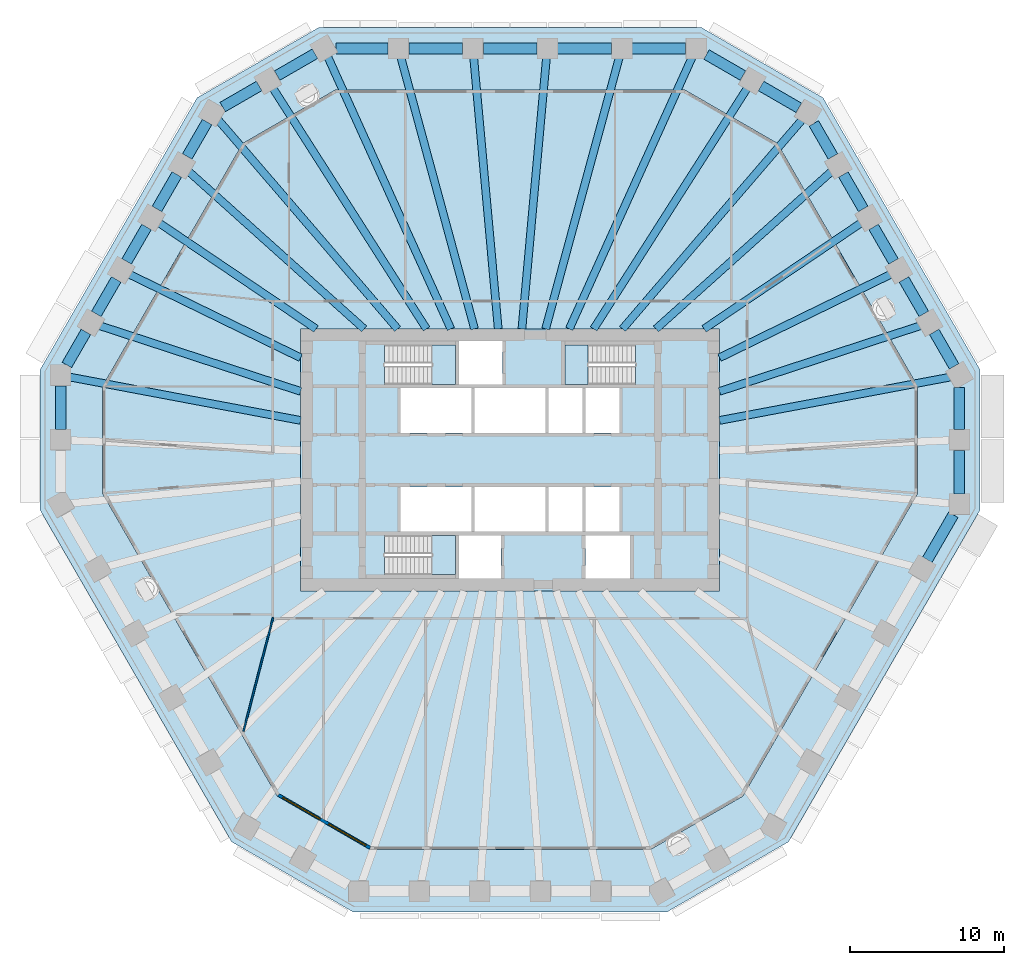
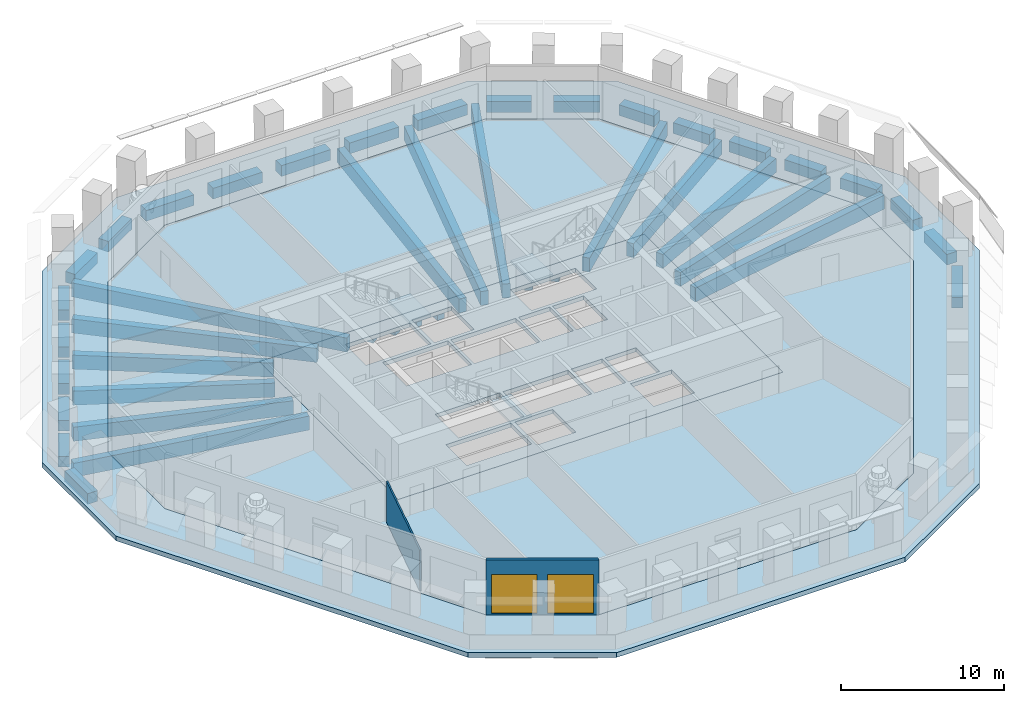
# One storey, part 2 of 12: 43 beams, 6 slabs, 2 walls, 2 windows, 2 openings, 3 elements without a shape of their own.
"""IFC4 building model written with IfcOpenShell, lengths in metres."""

from ifc_helpers import new_model, si_unit, direction, frame, frame_2d, origin, origin_2d, place, context, subcontext, project, spatial, polyline, rectangle, outline, extrude, material, layer, layer_set, material_profile, profile_set, type_object, element, fill, aggregate, save


model = new_model("IFC4")

# Units and contexts
model_context = context("Model", 3, precision=1e-05, world=origin(), true_north=direction((0.0, 1.0)))
body_context = subcontext(model_context, "Body", "Model", "MODEL_VIEW")
ifc_project = project(units=[si_unit("LENGTHUNIT", "METRE"), si_unit("AREAUNIT", "SQUARE_METRE"), si_unit("VOLUMEUNIT", "CUBIC_METRE"), si_unit("PLANEANGLEUNIT", "RADIAN"), si_unit("MASSUNIT", "GRAM", prefix="KILO")], contexts=[model_context])

# Site, building, storey
site_placement = place(None, origin())
site = spatial("IfcSite", under=ifc_project, at=site_placement, CompositionType="ELEMENT")
building_placement = place(site_placement, origin())
building = spatial("IfcBuilding", under=site, at=building_placement, Name="Frailejon Research Tower", CompositionType="ELEMENT")
storey_placement = place(building_placement, frame((0.0, 0.0, 122.0)))
storey = spatial("IfcBuildingStorey", under=building, at=storey_placement, Name="L26", CompositionType="ELEMENT", Elevation=122.0)

# Beams
ifc_material_1 = material(Name="Concrete C60/75", Category="concrete")
ifc_material_profile_1 = material_profile(ifc_material_1, rectangle(XDim=0.5, YDim=1.050048828125, at=origin_2d()), Name="Girder 500x1050")
ifc_profile_set_1 = profile_set([ifc_material_profile_1], Name="Concrete C60/75")
beam_type_1 = type_object("IfcBeamType", Name="Girder 500x1050", PredefinedType="BEAM", material=ifc_profile_set_1)
beam_1_placement = place(storey_placement, frame((28.6044921875, 5.377685546875, -0.824951171875), z_axis=(-0.982783367515, -0.184761610015, 0.0), x_axis=(0.184761610015, -0.982783367515, 0.0)))
element("IfcBeam", 1, at=beam_1_placement, inside=storey, type_object=beam_type_1, Name="Girder 500x1050", PredefinedType="BEAM", context=body_context, shape_type="SweptSolid", body=[
    extrude(rectangle(XDim=0.5, YDim=1.050048828125, at=origin_2d()), origin(), (0.0, 0.0, 1.0), 15.267333984375),
])
beam_2_placement = place(storey_placement, frame((26.680908203125, 8.720703125, -0.824951171875), z_axis=(-0.950512151365, -0.310687383244, 0.0), x_axis=(0.310687383244, -0.950512151365, 0.0)))
element("IfcBeam", 2, at=beam_2_placement, inside=storey, type_object=beam_type_1, Name="Girder 500x1050", PredefinedType="BEAM", context=body_context, shape_type="SweptSolid", body=[
    extrude(rectangle(XDim=0.5, YDim=1.050048828125, at=origin_2d()), origin(), (0.0, 0.0, 1.0), 13.761962890625),
])
beam_3_placement = place(storey_placement, frame((24.75390625, 12.063720703125, -0.824951171875), z_axis=(-0.898930068436, -0.438092150193, 0.0), x_axis=(0.438092150193, -0.898930068436, 0.0)))
element("IfcBeam", 3, at=beam_3_placement, inside=storey, type_object=beam_type_1, Name="Girder 500x1050", PredefinedType="BEAM", context=body_context, shape_type="SweptSolid", body=[
    extrude(rectangle(XDim=0.5, YDim=1.050048828125, at=origin_2d()), origin(), (0.0, 0.0, 1.0), 12.407958984375),
])
beam_4_placement = place(storey_placement, frame((22.824462890625, 15.40576171875, -0.824951171875), z_axis=(-0.828859909215, -0.55945620999, 0.0), x_axis=(0.55945620999, -0.828859909215, 0.0)))
element("IfcBeam", 4, at=beam_4_placement, inside=storey, type_object=beam_type_1, Name="Girder 500x1050", PredefinedType="BEAM", context=body_context, shape_type="SweptSolid", body=[
    extrude(rectangle(XDim=0.5, YDim=1.050048828125, at=origin_2d()), origin(), (0.0, 0.0, 1.0), 12.34375),
])
beam_5_placement = place(storey_placement, frame((20.892578125, 18.745849609375, -0.824951171875), z_axis=(-0.744311646728, -0.667832443466, 0.0), x_axis=(0.667832443466, -0.744311646728, 0.0)))
element("IfcBeam", 5, at=beam_5_placement, inside=storey, type_object=beam_type_1, Name="Girder 500x1050", PredefinedType="BEAM", context=body_context, shape_type="SweptSolid", body=[
    extrude(rectangle(XDim=0.5, YDim=1.050048828125, at=origin_2d()), origin(), (0.0, 0.0, 1.0), 15.342041015625),
])
beam_6_placement = place(storey_placement, frame((18.978271484375, 22.10498046875, -0.824951171875), z_axis=(-0.651410092437, -0.758725834193, 0.0), x_axis=(0.758725834193, -0.651410092437, 0.0)))
element("IfcBeam", 6, at=beam_6_placement, inside=storey, type_object=beam_type_1, Name="Girder 500x1050", PredefinedType="BEAM", context=body_context, shape_type="SweptSolid", body=[
    extrude(rectangle(XDim=0.5, YDim=1.050048828125, at=origin_2d()), origin(), (0.0, 0.0, 1.0), 17.931396484375),
])
beam_7_placement = place(storey_placement, frame((15.418701171875, 24.1630859375, -0.824951171875), z_axis=(-0.537926793279, -0.84299155694, 0.0), x_axis=(0.84299155694, -0.537926793279, 0.0)))
element("IfcBeam", 7, at=beam_7_placement, inside=storey, type_object=beam_type_1, Name="Girder 500x1050", PredefinedType="BEAM", context=body_context, shape_type="SweptSolid", body=[
    extrude(rectangle(XDim=0.5, YDim=1.050048828125, at=origin_2d()), origin(), (0.0, 0.0, 1.0), 18.580322265625),
])
beam_8_placement = place(storey_placement, frame((11.831298828125, 26.16162109375, -0.824951171875), z_axis=(-0.412061819149, -0.911155890723, 0.0), x_axis=(0.911155890723, -0.412061819149, 0.0)))
element("IfcBeam", 8, at=beam_8_placement, inside=storey, type_object=beam_type_1, Name="Girder 500x1050", PredefinedType="BEAM", context=body_context, shape_type="SweptSolid", body=[
    extrude(rectangle(XDim=0.5, YDim=1.050048828125, at=origin_2d()), origin(), (0.0, 0.0, 1.0), 19.3837890625),
])
beam_9_placement = place(storey_placement, frame((7.10107421875, 26.169921875, -0.824951171875), z_axis=(-0.261877178115, -0.965101208984, 0.0), x_axis=(0.965101208984, -0.261877178115, 0.0)))
element("IfcBeam", 9, at=beam_9_placement, inside=storey, type_object=beam_type_1, Name="Girder 500x1050", PredefinedType="BEAM", context=body_context, shape_type="SweptSolid", body=[
    extrude(rectangle(XDim=0.5, YDim=1.050048828125, at=origin_2d()), origin(), (0.0, 0.0, 1.0), 18.308837890625),
])
for number, where, z_axis, x_axis, name in (
    (10, (2.367431640625, 26.17431640625, -0.824951171875), (-0.090081751024, -0.99593437441, 0.0), (0.99593437441, -0.090081751024, 0.0), "Girder 500x1050"),
    (11, (-2.367431640625, 26.17431640625, -0.824951171875), (0.090081751024, -0.99593437441, 0.0), (0.99593437441, 0.090081751024, 0.0), "Girder 500x1050"),
):
    element("IfcBeam", number, at=place(storey_placement, frame(where, z_axis=z_axis, x_axis=x_axis)), inside=storey, type_object=beam_type_1, Name=name, PredefinedType="BEAM", context=body_context, shape_type="SweptSolid", body=[
        extrude(rectangle(XDim=0.5, YDim=1.050048828125, at=origin_2d()), origin(), (0.0, 0.0, 1.0), 17.74658203125),
    ])
beam_10_placement = place(storey_placement, frame((-7.10107421875, 26.169921875, -0.824951171875), z_axis=(0.261877178115, -0.965101208984, 0.0), x_axis=(0.965101208984, 0.261877178115, 0.0)))
element("IfcBeam", 12, at=beam_10_placement, inside=storey, type_object=beam_type_1, Name="Girder 500x1050", PredefinedType="BEAM", context=body_context, shape_type="SweptSolid", body=[
    extrude(rectangle(XDim=0.5, YDim=1.050048828125, at=origin_2d()), origin(), (0.0, 0.0, 1.0), 18.308837890625),
])
beam_11_placement = place(storey_placement, frame((-11.857177734375, 26.218505859375, -0.824951171875), z_axis=(0.412068363759, -0.911152930956, 0.0), x_axis=(0.911152930956, 0.412068363759, 0.0)))
element("IfcBeam", 13, at=beam_11_placement, inside=storey, type_object=beam_type_1, Name="Girder 500x1050", PredefinedType="BEAM", context=body_context, shape_type="SweptSolid", body=[
    extrude(rectangle(XDim=0.5, YDim=1.050048828125, at=origin_2d()), origin(), (0.0, 0.0, 1.0), 19.4462890625),
])
beam_12_placement = place(storey_placement, frame((-15.418701171875, 24.1630859375, -0.824951171875), z_axis=(0.537926793279, -0.84299155694, 0.0), x_axis=(0.84299155694, 0.537926793279, 0.0)))
element("IfcBeam", 14, at=beam_12_placement, inside=storey, type_object=beam_type_1, Name="Girder 500x1050", PredefinedType="BEAM", context=body_context, shape_type="SweptSolid", body=[
    extrude(rectangle(XDim=0.5, YDim=1.050048828125, at=origin_2d()), origin(), (0.0, 0.0, 1.0), 18.580322265625),
])
beam_13_placement = place(storey_placement, frame((-18.959716796875, 22.08349609375, -0.824951171875), z_axis=(0.651406584135, -0.758728846259, 0.0), x_axis=(0.758728846259, 0.651406584135, 0.0)))
element("IfcBeam", 15, at=beam_13_placement, inside=storey, type_object=beam_type_1, Name="Girder 500x1050", PredefinedType="BEAM", context=body_context, shape_type="SweptSolid", body=[
    extrude(rectangle(XDim=0.5, YDim=1.050048828125, at=origin_2d()), origin(), (0.0, 0.0, 1.0), 17.903076171875),
])
beam_14_placement = place(storey_placement, frame((-20.892578125, 18.745849609375, -0.824951171875), z_axis=(0.744311646728, -0.667832443466, 0.0), x_axis=(0.667832443466, 0.744311646728, 0.0)))
element("IfcBeam", 16, at=beam_14_placement, inside=storey, type_object=beam_type_1, Name="Girder 500x1050", PredefinedType="BEAM", context=body_context, shape_type="SweptSolid", body=[
    extrude(rectangle(XDim=0.5, YDim=1.050048828125, at=origin_2d()), origin(), (0.0, 0.0, 1.0), 15.342041015625),
])
beam_15_placement = place(storey_placement, frame((-22.824462890625, 15.40576171875, -0.824951171875), z_axis=(0.828859909215, -0.55945620999, 0.0), x_axis=(0.55945620999, 0.828859909215, 0.0)))
element("IfcBeam", 17, at=beam_15_placement, inside=storey, type_object=beam_type_1, Name="Girder 500x1050", PredefinedType="BEAM", context=body_context, shape_type="SweptSolid", body=[
    extrude(rectangle(XDim=0.5, YDim=1.050048828125, at=origin_2d()), origin(), (0.0, 0.0, 1.0), 12.34375),
])
beam_16_placement = place(storey_placement, frame((-24.75390625, 12.063720703125, -0.824951171875), z_axis=(0.898930068436, -0.438092150193, 0.0), x_axis=(0.438092150193, 0.898930068436, 0.0)))
element("IfcBeam", 18, at=beam_16_placement, inside=storey, type_object=beam_type_1, Name="Girder 500x1050", PredefinedType="BEAM", context=body_context, shape_type="SweptSolid", body=[
    extrude(rectangle(XDim=0.5, YDim=1.050048828125, at=origin_2d()), origin(), (0.0, 0.0, 1.0), 12.407958984375),
])
beam_17_placement = place(storey_placement, frame((-26.680908203125, 8.720703125, -0.824951171875), z_axis=(0.950512151365, -0.310687383244, 0.0), x_axis=(0.310687383244, 0.950512151365, 0.0)))
element("IfcBeam", 19, at=beam_17_placement, inside=storey, type_object=beam_type_1, Name="Girder 500x1050", PredefinedType="BEAM", context=body_context, shape_type="SweptSolid", body=[
    extrude(rectangle(XDim=0.5, YDim=1.050048828125, at=origin_2d()), origin(), (0.0, 0.0, 1.0), 13.761962890625),
])
beam_18_placement = place(storey_placement, frame((-28.6328125, 5.383056640625, -0.824951171875), z_axis=(0.982782810486, -0.18476457294, 0.0), x_axis=(0.18476457294, 0.982782810486, 0.0)))
element("IfcBeam", 20, at=beam_18_placement, inside=storey, type_object=beam_type_1, Name="Girder 500x1050", PredefinedType="BEAM", context=body_context, shape_type="SweptSolid", body=[
    extrude(rectangle(XDim=0.5, YDim=1.050048828125, at=origin_2d()), origin(), (0.0, 0.0, 1.0), 15.296142578125),
])
ifc_material_2 = material(Name="Concrete C60/75", Category="concrete")
ifc_material_profile_2 = material_profile(ifc_material_2, rectangle(XDim=0.699951171875, YDim=0.800048828125, at=origin_2d()), Name="Spandrel 700x800")
ifc_profile_set_2 = profile_set([ifc_material_profile_2], Name="Concrete C60/75")
beam_type_2 = type_object("IfcBeamType", Name="Spandrel 700x800", PredefinedType="BEAM", material=ifc_profile_set_2)
beam_19_placement = place(storey_placement, frame((29.160400390625, -2.2177734375, -0.75), z_axis=(0.0, 1.0, 0.0), x_axis=(-1.0, 0.0, 0.0)))
element("IfcBeam", 21, at=beam_19_placement, inside=storey, type_object=beam_type_2, Name="Spandrel 700x800", PredefinedType="BEAM", context=body_context, shape_type="SweptSolid", body=[
    extrude(rectangle(XDim=0.699951171875, YDim=0.800048828125, at=origin_2d()), origin(), (0.0, 0.0, 1.0), 2.837646484375),
])
beam_20_placement = place(storey_placement, frame((29.160400390625, 1.9697265625, -0.75), z_axis=(0.0, 1.0, 0.0), x_axis=(-1.0, 0.0, 0.0)))
element("IfcBeam", 22, at=beam_20_placement, inside=storey, type_object=beam_type_2, Name="Spandrel 700x800", PredefinedType="BEAM", context=body_context, shape_type="SweptSolid", body=[
    extrude(rectangle(XDim=0.699951171875, YDim=0.800048828125, at=origin_2d()), origin(), (0.0, 0.0, 1.0), 2.733154296875),
])
beam_21_placement = place(storey_placement, frame((28.82275390625, 6.06689453125, -0.75), z_axis=(-0.49995156614, 0.866053365281, 0.0), x_axis=(-0.866053365281, -0.49995156614, 0.0)))
element("IfcBeam", 23, at=beam_21_placement, inside=storey, type_object=beam_type_2, Name="Spandrel 700x800", PredefinedType="BEAM", context=body_context, shape_type="SweptSolid", body=[
    extrude(rectangle(XDim=0.699951171875, YDim=0.800048828125, at=origin_2d()), origin(), (0.0, 0.0, 1.0), 2.582763671875),
])
for number, where, z_axis, x_axis, name in (
    (24, (26.8564453125, 9.472900390625, -0.75), (-0.500022460696, 0.866012435707, 0.0), (-0.866012435707, -0.500022460696, 0.0), "Spandrel 700x800"),
    (25, (24.889892578125, 12.87890625, -0.75), (-0.500022460696, 0.866012435707, 0.0), (-0.866012435707, -0.500022460696, 0.0), "Spandrel 700x800"),
):
    element("IfcBeam", number, at=place(storey_placement, frame(where, z_axis=z_axis, x_axis=x_axis)), inside=storey, type_object=beam_type_2, Name=name, PredefinedType="BEAM", context=body_context, shape_type="SweptSolid", body=[
        extrude(rectangle(XDim=0.699951171875, YDim=0.800048828125, at=origin_2d()), origin(), (0.0, 0.0, 1.0), 2.5830078125),
    ])
beam_22_placement = place(storey_placement, frame((22.92333984375, 16.284912109375, -0.75), z_axis=(-0.49995156614, 0.866053365281, 0.0), x_axis=(-0.866053365281, -0.49995156614, 0.0)))
element("IfcBeam", 26, at=beam_22_placement, inside=storey, type_object=beam_type_2, Name="Spandrel 700x800", PredefinedType="BEAM", context=body_context, shape_type="SweptSolid", body=[
    extrude(rectangle(XDim=0.699951171875, YDim=0.800048828125, at=origin_2d()), origin(), (0.0, 0.0, 1.0), 2.582763671875),
])
beam_23_placement = place(storey_placement, frame((20.95703125, 19.69091796875, -0.75), z_axis=(-0.499995303914, 0.866028115054, 0.0), x_axis=(-0.866028115054, -0.499995303914, 0.0)))
element("IfcBeam", 27, at=beam_23_placement, inside=storey, type_object=beam_type_2, Name="Spandrel 700x800", PredefinedType="BEAM", context=body_context, shape_type="SweptSolid", body=[
    extrude(rectangle(XDim=0.699951171875, YDim=0.800048828125, at=origin_2d()), origin(), (0.0, 0.0, 1.0), 2.478515625),
])
beam_24_placement = place(storey_placement, frame((18.743408203125, 22.849853515625, -0.75), z_axis=(-0.865989280058, 0.500062562911, 0.0), x_axis=(-0.500062562911, -0.865989280058, 0.0)))
element("IfcBeam", 28, at=beam_24_placement, inside=storey, type_object=beam_type_2, Name="Spandrel 700x800", PredefinedType="BEAM", context=body_context, shape_type="SweptSolid", body=[
    extrude(rectangle(XDim=0.699951171875, YDim=0.800048828125, at=origin_2d()), origin(), (0.0, 0.0, 1.0), 2.837646484375),
])
beam_25_placement = place(storey_placement, frame((15.116943359375, 24.943603515625, -0.75), z_axis=(-0.866002615699, 0.500039468044, 0.0), x_axis=(-0.500039468044, -0.866002615699, 0.0)))
element("IfcBeam", 29, at=beam_25_placement, inside=storey, type_object=beam_type_2, Name="Spandrel 700x800", PredefinedType="BEAM", context=body_context, shape_type="SweptSolid", body=[
    extrude(rectangle(XDim=0.699951171875, YDim=0.800048828125, at=origin_2d()), origin(), (0.0, 0.0, 1.0), 2.733154296875),
])
for number, where, z_axis, x_axis, name in (
    (30, (11.39990234375, 26.699951171875, -0.75), (-1.0, 0.0, 0.0), (0.0, -1.0, 0.0), "Spandrel 700x800"),
    (31, (6.570068359375, 26.699951171875, -0.75), (-1.0, 0.0, 0.0), (0.0, -1.0, 0.0), "Spandrel 700x800"),
    (32, (1.739990234375, 26.699951171875, -0.75), (-1.0, 0.0, 0.0), (0.0, -1.0, 0.0), "Spandrel 700x800"),
    (33, (-3.090087890625, 26.699951171875, -0.75), (-1.0, 0.0, 0.0), (0.0, -1.0, 0.0), "Spandrel 700x800"),
):
    element("IfcBeam", number, at=place(storey_placement, frame(where, z_axis=z_axis, x_axis=x_axis)), inside=storey, type_object=beam_type_2, Name=name, PredefinedType="BEAM", context=body_context, shape_type="SweptSolid", body=[
        extrude(rectangle(XDim=0.699951171875, YDim=0.800048828125, at=origin_2d()), origin(), (0.0, 0.0, 1.0), 3.47998046875),
    ])
beam_26_placement = place(storey_placement, frame((-7.919921875, 26.699951171875, -0.75), z_axis=(-1.0, 0.0, 0.0), x_axis=(0.0, -1.0, 0.0)))
element("IfcBeam", 34, at=beam_26_placement, inside=storey, type_object=beam_type_2, Name="Spandrel 700x800", PredefinedType="BEAM", context=body_context, shape_type="SweptSolid", body=[
    extrude(rectangle(XDim=0.699951171875, YDim=0.800048828125, at=origin_2d()), origin(), (0.0, 0.0, 1.0), 3.37548828125),
])
beam_27_placement = place(storey_placement, frame((-12.659423828125, 26.362548828125, -0.75), z_axis=(-0.866010792954, -0.500025305846, 0.0), x_axis=(0.500025305846, -0.866010792954, 0.0)))
element("IfcBeam", 35, at=beam_27_placement, inside=storey, type_object=beam_type_2, Name="Spandrel 700x800", PredefinedType="BEAM", context=body_context, shape_type="SweptSolid", body=[
    extrude(rectangle(XDim=0.699951171875, YDim=0.800048828125, at=origin_2d()), origin(), (0.0, 0.0, 1.0), 2.837646484375),
])
beam_28_placement = place(storey_placement, frame((-16.2861328125, 24.268798828125, -0.75), z_axis=(-0.866002615699, -0.500039468044, 0.0), x_axis=(0.500039468044, -0.866002615699, 0.0)))
element("IfcBeam", 36, at=beam_28_placement, inside=storey, type_object=beam_type_2, Name="Spandrel 700x800", PredefinedType="BEAM", context=body_context, shape_type="SweptSolid", body=[
    extrude(rectangle(XDim=0.699951171875, YDim=0.800048828125, at=origin_2d()), origin(), (0.0, 0.0, 1.0), 2.733154296875),
])
beam_29_placement = place(storey_placement, frame((-19.66552734375, 21.927734375, -0.75), z_axis=(-0.500022460696, -0.866012435707, 0.0), x_axis=(0.866012435707, -0.500022460696, 0.0)))
element("IfcBeam", 37, at=beam_29_placement, inside=storey, type_object=beam_type_2, Name="Spandrel 700x800", PredefinedType="BEAM", context=body_context, shape_type="SweptSolid", body=[
    extrude(rectangle(XDim=0.699951171875, YDim=0.800048828125, at=origin_2d()), origin(), (0.0, 0.0, 1.0), 2.5830078125),
])
beam_30_placement = place(storey_placement, frame((-21.632080078125, 18.521728515625, -0.75), z_axis=(-0.49995156614, -0.866053365281, 0.0), x_axis=(0.866053365281, -0.49995156614, 0.0)))
element("IfcBeam", 38, at=beam_30_placement, inside=storey, type_object=beam_type_2, Name="Spandrel 700x800", PredefinedType="BEAM", context=body_context, shape_type="SweptSolid", body=[
    extrude(rectangle(XDim=0.699951171875, YDim=0.800048828125, at=origin_2d()), origin(), (0.0, 0.0, 1.0), 2.582763671875),
])
for number, where, z_axis, x_axis, name in (
    (39, (-23.598388671875, 15.11572265625, -0.75), (-0.500022460696, -0.866012435707, 0.0), (0.866012435707, -0.500022460696, 0.0), "Spandrel 700x800"),
    (40, (-25.56494140625, 11.709716796875, -0.75), (-0.500022460696, -0.866012435707, 0.0), (0.866012435707, -0.500022460696, 0.0), "Spandrel 700x800"),
):
    element("IfcBeam", number, at=place(storey_placement, frame(where, z_axis=z_axis, x_axis=x_axis)), inside=storey, type_object=beam_type_2, Name=name, PredefinedType="BEAM", context=body_context, shape_type="SweptSolid", body=[
        extrude(rectangle(XDim=0.699951171875, YDim=0.800048828125, at=origin_2d()), origin(), (0.0, 0.0, 1.0), 2.5830078125),
    ])
beam_31_placement = place(storey_placement, frame((-27.531494140625, 8.3037109375, -0.75), z_axis=(-0.499921421619, -0.866070766281, 0.0), x_axis=(0.866070766281, -0.499921421619, 0.0)))
element("IfcBeam", 41, at=beam_31_placement, inside=storey, type_object=beam_type_2, Name="Spandrel 700x800", PredefinedType="BEAM", context=body_context, shape_type="SweptSolid", body=[
    extrude(rectangle(XDim=0.699951171875, YDim=0.800048828125, at=origin_2d()), origin(), (0.0, 0.0, 1.0), 2.478515625),
])
beam_32_placement = place(storey_placement, frame((-29.160400390625, 4.807373046875, -0.75), z_axis=(0.0, -1.0, 0.0), x_axis=(1.0, 0.0, 0.0)))
element("IfcBeam", 42, at=beam_32_placement, inside=storey, type_object=beam_type_2, Name="Spandrel 700x800", PredefinedType="BEAM", context=body_context, shape_type="SweptSolid", body=[
    extrude(rectangle(XDim=0.699951171875, YDim=0.800048828125, at=origin_2d()), origin(), (0.0, 0.0, 1.0), 2.837646484375),
])
beam_33_placement = place(storey_placement, frame((27.0830078125, -6.4912109375, -0.75), z_axis=(0.499935330144, 0.866062737724, 0.0), x_axis=(-0.866062737724, 0.499935330144, 0.0)))
element("IfcBeam", 43, at=beam_33_placement, inside=storey, type_object=beam_type_2, Name="Spandrel 700x800", PredefinedType="BEAM", context=body_context, shape_type="SweptSolid", body=[
    extrude(rectangle(XDim=0.699951171875, YDim=0.800048828125, at=origin_2d()), origin(), (0.0, 0.0, 1.0), 3.37548828125),
])

# Slabs
ifc_material_3 = material(Name="Concrete C70/85", Category="concrete")
ifc_layer_1 = layer(ifc_material_3, 0.300048828125)
ifc_layer_set_1 = layer_set([ifc_layer_1], Name="Core floor slab 300 C70/85")
slab_type_1 = type_object("IfcSlabType", Name="Core floor slab 300 C70/85", PredefinedType="FLOOR", material=ifc_layer_set_1)
slab_1_placement = place(storey_placement, frame((0.0, 0.0, -0.300048828125)))
element("IfcSlab", 44, at=slab_1_placement, inside=storey, type_object=slab_type_1, Name="Core floor slab", PredefinedType="FLOOR", context=body_context, shape_type="SweptSolid", body=[
    extrude(outline(polyline([(13.60009765625, -8.5), (13.60009765625, 8.5), (-13.60009765625, 8.5), (-13.60009765625, -8.5), (13.60009765625, -8.5)]), holes=[polyline([(-2.5, 1.75), (-2.5, 4.64990234375), (-7.10009765625, 4.64990234375), (-7.10009765625, 1.75), (-2.5, 1.75)]), polyline([(2.300048828125, 1.75), (2.300048828125, 4.64990234375), (-2.300048828125, 4.64990234375), (-2.300048828125, 1.75), (2.300048828125, 1.75)]), polyline([(4.699951171875, 1.75), (4.699951171875, 4.64990234375), (2.5, 4.64990234375), (2.5, 1.75), (4.699951171875, 1.75)]), polyline([(7.10009765625, 1.75), (7.10009765625, 4.64990234375), (4.89990234375, 4.64990234375), (4.89990234375, 1.75), (7.10009765625, 1.75)]), polyline([(-2.5, -4.64990234375), (-2.5, -1.75), (-7.10009765625, -1.75), (-7.10009765625, -4.64990234375), (-2.5, -4.64990234375)]), polyline([(2.300048828125, -4.64990234375), (2.300048828125, -1.75), (-2.300048828125, -1.75), (-2.300048828125, -4.64990234375), (2.300048828125, -4.64990234375)]), polyline([(4.699951171875, -4.64990234375), (4.699951171875, -1.75), (2.5, -1.75), (2.5, -4.64990234375), (4.699951171875, -4.64990234375)]), polyline([(7.10009765625, -4.64990234375), (7.10009765625, -1.75), (4.89990234375, -1.75), (4.89990234375, -4.64990234375), (7.10009765625, -4.64990234375)]), polyline([(-8.14697265625, 4.89990234375), (-3.550048828125, 4.89990234375), (-3.550048828125, 7.449951171875), (-8.14697265625, 7.449951171875), (-8.14697265625, 4.89990234375)]), polyline([(-8.14697265625, -7.449951171875), (-3.550048828125, -7.449951171875), (-3.550048828125, -4.89990234375), (-8.14697265625, -4.89990234375), (-8.14697265625, -7.449951171875)]), polyline([(8.14697265625, 7.449951171875), (3.550048828125, 7.449951171875), (3.550048828125, 4.89990234375), (8.14697265625, 4.89990234375), (8.14697265625, 7.449951171875)]), polyline([(-0.60009765625, -7.699951171875), (-0.60009765625, -4.89990234375), (-3.300048828125, -4.89990234375), (-3.300048828125, -7.699951171875), (-0.60009765625, -7.699951171875)]), polyline([(7.800048828125, -7.699951171875), (7.800048828125, -4.89990234375), (4.89990234375, -4.89990234375), (4.89990234375, -7.699951171875), (7.800048828125, -7.699951171875)]), polyline([(-0.5, 4.89990234375), (-0.5, 7.699951171875), (-3.300048828125, 7.699951171875), (-3.300048828125, 4.89990234375), (-0.5, 4.89990234375)])]), origin(), (0.0, 0.0, 1.0), 0.300048828125),
])
ifc_material_4 = material(Name="Concrete C40/50", Category="concrete")
ifc_layer_2 = layer(ifc_material_4, 0.35009765625)
ifc_layer_set_2 = layer_set([ifc_layer_2], Name="Loggia slab 350")
slab_type_2 = type_object("IfcSlabType", Name="Loggia slab 350", PredefinedType="USERDEFINED", material=ifc_layer_set_2)
slab_2_placement = place(storey_placement, frame((0.0, 0.0, -0.35009765625)))
element("IfcSlab", 45, at=slab_2_placement, inside=storey, type_object=slab_type_2, Name="Loggia slab L26", ObjectType="LOGGIA", PredefinedType="USERDEFINED", context=body_context, shape_type="SweptSolid", body=[
    extrude(outline(polyline([(18.07373046875, -24.79541015625), (10.194091796875, -29.3447265625), (-10.194091796875, -29.3447265625), (-18.07373046875, -24.79541015625), (-30.51025390625, -3.25439453125), (-30.51025390625, 5.843994140625), (-20.31640625, 23.500732421875), (-12.436767578125, 28.050048828125), (12.436767578125, 28.050048828125), (20.31640625, 23.500732421875), (30.51025390625, 5.843994140625), (30.51025390625, -3.25439453125), (18.07373046875, -24.79541015625)]), holes=[polyline([(26.460205078125, 4.7587890625), (17.3515625, 20.535888671875), (11.3515625, 24.0), (-11.3515625, 24.0), (-17.3515625, 20.535888671875), (-26.460205078125, 4.7587890625), (-26.460205078125, -2.169189453125), (-15.10888671875, -21.830810546875), (-9.10888671875, -25.294921875), (9.10888671875, -25.294921875), (15.10888671875, -21.830810546875), (26.460205078125, -2.169189453125), (26.460205078125, 4.7587890625)])]), origin(), (0.0, 0.0, 1.0), 0.35009765625),
])
ifc_material_5 = material(Name="Concrete C40/50", Category="concrete")
ifc_layer_3 = layer(ifc_material_5, 0.300048828125)
ifc_layer_set_3 = layer_set([ifc_layer_3], Name="Slab typical 300")
slab_type_3 = type_object("IfcSlabType", Name="Slab typical 300", PredefinedType="FLOOR", material=ifc_layer_set_3)
slab_3_placement = place(storey_placement, frame((0.0, 0.0, -0.300048828125)))
element("IfcSlab", 46, at=slab_3_placement, inside=storey, type_object=slab_type_3, Name="Floor slab L26", PredefinedType="FLOOR", context=body_context, shape_type="SweptSolid", body=[
    extrude(outline(polyline([(26.460205078125, -2.169189453125), (26.460205078125, 4.7587890625), (17.3515625, 20.535888671875), (11.3515625, 24.0), (-11.3515625, 24.0), (-17.3515625, 20.535888671875), (-26.460205078125, 4.7587890625), (-26.460205078125, -2.169189453125), (-15.10888671875, -21.830810546875), (-9.10888671875, -25.294921875), (9.10888671875, -25.294921875), (15.10888671875, -21.830810546875), (26.460205078125, -2.169189453125)]), holes=[polyline([(13.60009765625, -8.5), (-13.60009765625, -8.5), (-13.60009765625, 8.5), (13.60009765625, 8.5), (13.60009765625, -8.5)])]), origin(), (0.0, 0.0, 1.0), 0.300048828125),
])

# Stair, slab
ifc_material_6 = material(Name="Concrete C50/60", Category="concrete")
stair_type = type_object("IfcStairType", Name="Exit stair 24 risers", PredefinedType="HALF_TURN_STAIR", material=ifc_material_6)
stair_1_placement = place(storey_placement, origin())
stair_1 = element("IfcStair", 47, at=stair_1_placement, inside=storey, type_object=stair_type, Name="L26 Exit stair ST1", PredefinedType="HALF_TURN_STAIR")
ifc_material_7 = material(Name="Concrete C50/60", Category="concrete")
ifc_layer_4 = layer(ifc_material_7, 0.199951171875)
ifc_layer_set_4 = layer_set([ifc_layer_4], Name="Stair landing slab 200")
slab_type_4 = type_object("IfcSlabType", Name="Stair landing slab 200", PredefinedType="LANDING", material=ifc_layer_set_4)
slab_4_placement = place(storey_placement, frame((0.0, 0.0, 2.0)))
slab_4 = element("IfcSlab", 48, at=slab_4_placement, type_object=slab_type_4, Name="ST1 landing 1", PredefinedType="LANDING", context=body_context, shape_type="SweptSolid", body=[
    extrude(outline(polyline([(-5.070068359375, 4.89990234375), (-3.550048828125, 4.89990234375), (-3.550048828125, 7.449951171875), (-5.070068359375, 7.449951171875), (-5.070068359375, 4.89990234375)])), origin(), (0.0, 0.0, 1.0), 0.199951171875),
])
aggregate(stair_1, [slab_4])

stair_2_placement = place(storey_placement, origin())
stair_2 = element("IfcStair", 49, at=stair_2_placement, inside=storey, type_object=stair_type, Name="L26 Exit stair ST2", PredefinedType="HALF_TURN_STAIR")
slab_5_placement = place(storey_placement, frame((0.0, 0.0, 2.0)))
slab_5 = element("IfcSlab", 50, at=slab_5_placement, type_object=slab_type_4, Name="ST2 landing 1", PredefinedType="LANDING", context=body_context, shape_type="SweptSolid", body=[
    extrude(outline(polyline([(-5.070068359375, -7.449951171875), (-3.550048828125, -7.449951171875), (-3.550048828125, -4.89990234375), (-5.070068359375, -4.89990234375), (-5.070068359375, -7.449951171875)])), origin(), (0.0, 0.0, 1.0), 0.199951171875),
])
aggregate(stair_2, [slab_5])

stair_3_placement = place(storey_placement, origin())
stair_3 = element("IfcStair", 51, at=stair_3_placement, inside=storey, type_object=stair_type, Name="L26 Exit stair ST3", PredefinedType="HALF_TURN_STAIR")
slab_6_placement = place(storey_placement, frame((0.0, 0.0, 2.0)))
slab_6 = element("IfcSlab", 52, at=slab_6_placement, type_object=slab_type_4, Name="ST3 landing 1", PredefinedType="LANDING", context=body_context, shape_type="SweptSolid", body=[
    extrude(outline(polyline([(5.070068359375, 7.449951171875), (3.550048828125, 7.449951171875), (3.550048828125, 4.89990234375), (5.070068359375, 4.89990234375), (5.070068359375, 7.449951171875)])), origin(), (0.0, 0.0, 1.0), 0.199951171875),
])
aggregate(stair_3, [slab_6])

# Wall
ifc_material_8 = material(Name="Gypsum board and masonry partition", Category="masonry")
ifc_layer_5 = layer(ifc_material_8, 0.10009765625)
ifc_layer_set_5 = layer_set([ifc_layer_5], Name="Partition, gypsum on steel studs 100")
wall_type_1 = type_object("IfcWallType", Name="Partition, gypsum on steel studs 100", PredefinedType="PARTITIONING", material=ifc_layer_set_5)
wall_1_placement = place(storey_placement, frame((-17.307373046875, -17.622802734375, 0.0), z_axis=(0.0, 0.0, 1.0), x_axis=(0.252055148488, 0.967712871735, 0.0)))
element("IfcWall", 53, at=wall_1_placement, inside=storey, type_object=wall_type_1, Name="T:IW:L26:024", PredefinedType="PARTITIONING", context=body_context, shape_type="SweptSolid", body=[
    extrude(rectangle(XDim=7.642333984375, YDim=0.10009765625, at=frame_2d((3.8212890625, 0.0))), origin(), (0.0, 0.0, 1.0), 3.050048828125),
])

# Wall, openings, windows
ifc_material_9 = material(Name="Concrete C40/50 precast window wall panel", Category="concrete")
ifc_layer_6 = layer(ifc_material_9, 0.199951171875)
ifc_layer_set_6 = layer_set([ifc_layer_6], Name="Window wall 200")
wall_type_2 = type_object("IfcWallType", Name="Window wall 200", PredefinedType="SOLIDWALL", material=ifc_layer_set_6)
wall_2_placement = place(storey_placement, frame((-15.03564453125, -21.757568359375, 0.0), z_axis=(0.0, 0.0, 1.0), x_axis=(0.866029458321, -0.49999297727, 0.0)))
wall_2 = element("IfcWall", 54, at=wall_2_placement, inside=storey, type_object=wall_type_2, Name="Exterior wall L26", PredefinedType="SOLIDWALL", context=body_context, shape_type="SweptSolid", body=[
    extrude(outline(polyline([(-0.02685546875, -0.10009765625), (1.1279296875, -0.10009765625), (2.282470703125, -0.10009765625), (3.437255859375, -0.10009765625), (4.592041015625, -0.10009765625), (5.74658203125, -0.10009765625), (6.9013671875, -0.10009765625), (6.84765625, 0.10009765625), (5.7109375, 0.10009765625), (4.573974609375, 0.10009765625), (3.437255859375, 0.10009765625), (2.300537109375, 0.10009765625), (1.16357421875, 0.10009765625), (0.02685546875, 0.10009765625), (-0.02685546875, -0.10009765625)])), origin(), (0.0, 0.0, 1.0), 4.10009765625),
])
opening_1_placement = place(wall_2_placement, frame((0.318603515625, 0.0, 0.10009765625)))
opening_1 = element("IfcOpeningElement", 55, at=opening_1_placement, cuts=wall_2, Name="Opening W3", PredefinedType="OPENING", context=body_context, shape_type="SweptSolid", body=[
    extrude(rectangle(XDim=2.800048828125, YDim=2.89990234375, at=frame_2d((1.39990234375, 1.449951171875))), frame((0.0, 0.10986328125, 0.0), z_axis=(0.0, -1.0, 0.0), x_axis=(1.0, 0.0, 0.0)), (0.0, 0.0, 1.0), 0.219970703125),
])
opening_2_placement = place(wall_2_placement, frame((3.756103515625, 0.0, 0.10009765625)))
opening_2 = element("IfcOpeningElement", 56, at=opening_2_placement, cuts=wall_2, Name="Opening W3", PredefinedType="OPENING", context=body_context, shape_type="SweptSolid", body=[
    extrude(rectangle(XDim=2.800048828125, YDim=2.89990234375, at=frame_2d((1.39990234375, 1.449951171875))), frame((0.0, 0.10986328125, 0.0), z_axis=(0.0, -1.0, 0.0), x_axis=(1.0, 0.0, 0.0)), (0.0, 0.0, 1.0), 0.219970703125),
])
ifc_material_10 = material(Name="Aluminium framed double glazing", Category="aluminium")
window_type = type_object("IfcWindowType", Name="Window 2800x2900", PartitioningType="SINGLE_PANEL", PredefinedType="WINDOW", material=ifc_material_10)
window_1_placement = place(opening_1_placement, origin())
window_1 = element("IfcWindow", 57, at=window_1_placement, inside=storey, type_object=window_type, Name="Window L26", OverallHeight=2.89990234375, OverallWidth=2.800048828125, PartitioningType="SINGLE_PANEL", PredefinedType="WINDOW", context=body_context, shape_type="SweptSolid", body=[
    extrude(rectangle(XDim=2.800048828125, YDim=2.89990234375, at=frame_2d((1.39990234375, 1.449951171875))), frame((0.0, 0.030029296875, 0.0), z_axis=(0.0, -1.0, 0.0), x_axis=(1.0, 0.0, 0.0)), (0.0, 0.0, 1.0), 0.06005859375),
])
fill(opening_1, window_1)
window_2_placement = place(opening_2_placement, origin())
window_2 = element("IfcWindow", 58, at=window_2_placement, inside=storey, type_object=window_type, Name="Window L26", OverallHeight=2.89990234375, OverallWidth=2.800048828125, PartitioningType="SINGLE_PANEL", PredefinedType="WINDOW", context=body_context, shape_type="SweptSolid", body=[
    extrude(rectangle(XDim=2.800048828125, YDim=2.89990234375, at=frame_2d((1.39990234375, 1.449951171875))), frame((0.0, 0.030029296875, 0.0), z_axis=(0.0, -1.0, 0.0), x_axis=(1.0, 0.0, 0.0)), (0.0, 0.0, 1.0), 0.06005859375),
])
fill(opening_2, window_2)

save(model, "model.ifc")
